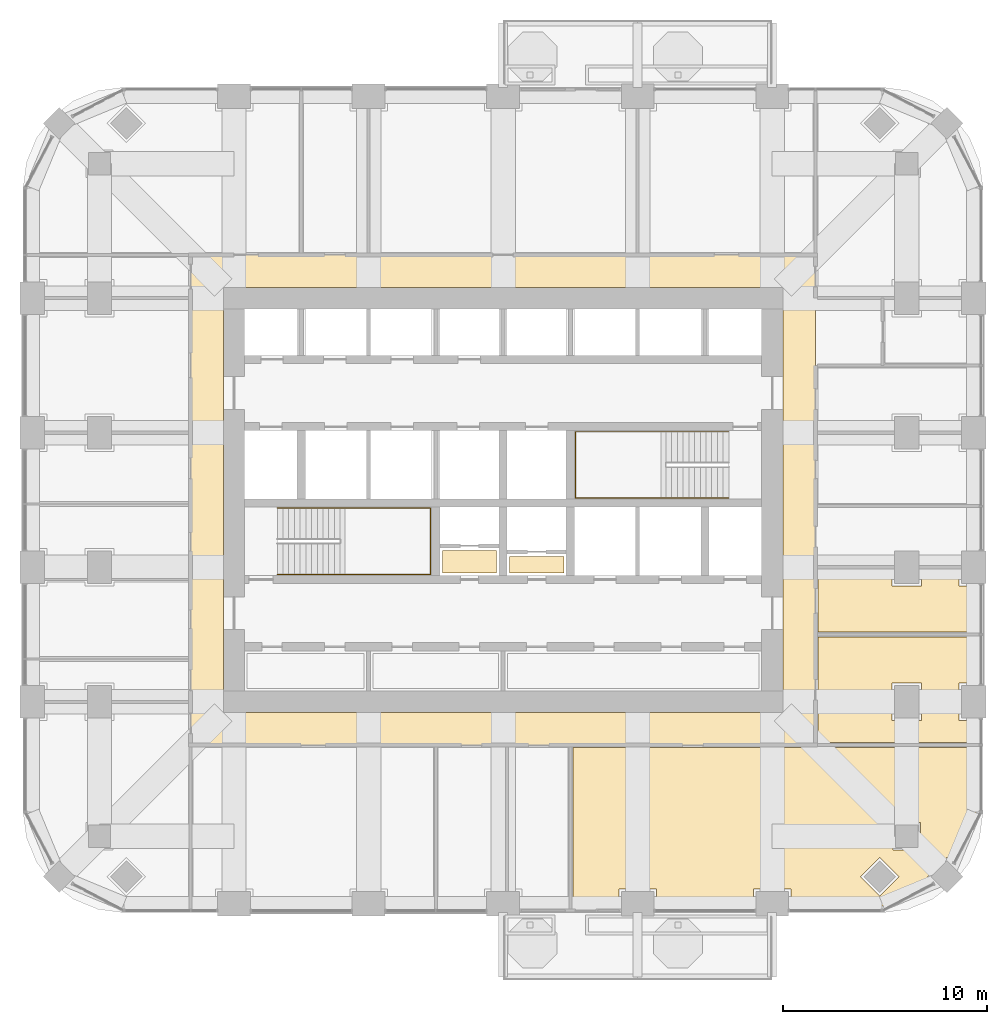
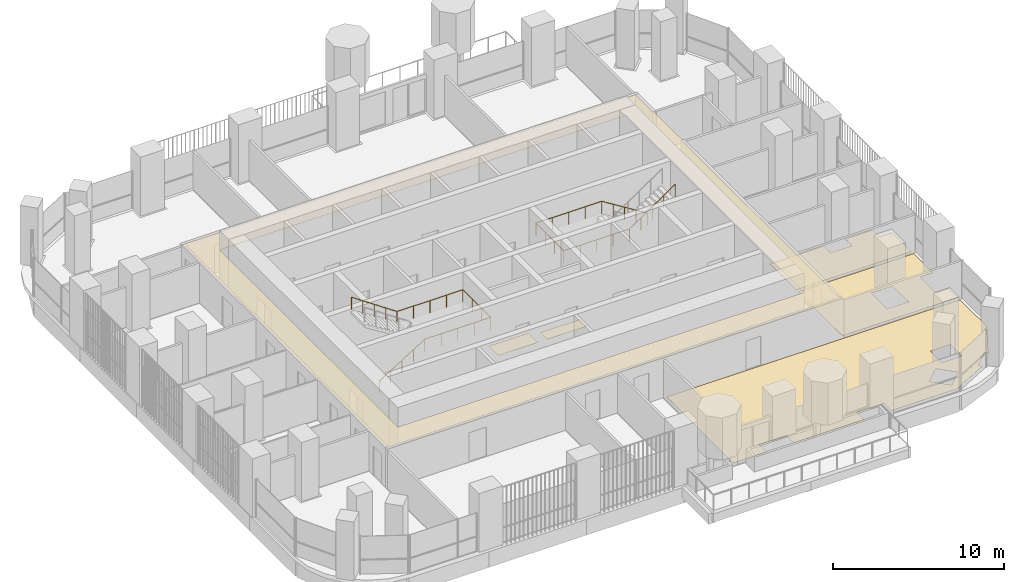
# One storey, part 17 of 19: 6 coverings, 2 railings.
"""IFC4 building model written with IfcOpenShell, lengths in metres."""

from ifc_helpers import new_model, si_unit, direction, frame, origin, place, context, subcontext, project, spatial, polyline, outline, extrude, material, layer, layer_set, type_object, element, save


model = new_model("IFC4")

# Units and contexts
model_context = context("Model", 3, precision=1e-05, world=origin(), true_north=direction((0.0, 1.0)))
body_context = subcontext(model_context, "Body", "Model", "MODEL_VIEW")
ifc_project = project(units=[si_unit("LENGTHUNIT", "METRE"), si_unit("AREAUNIT", "SQUARE_METRE"), si_unit("VOLUMEUNIT", "CUBIC_METRE"), si_unit("PLANEANGLEUNIT", "RADIAN"), si_unit("MASSUNIT", "GRAM", prefix="KILO")], contexts=[model_context])

# Site, building, storey
site_placement = place(None, origin())
site = spatial("IfcSite", under=ifc_project, at=site_placement, CompositionType="ELEMENT")
building_placement = place(site_placement, origin())
building = spatial("IfcBuilding", under=site, at=building_placement, Name="Cobogo Forest Laboratory Tower", CompositionType="ELEMENT")
storey_placement = place(building_placement, frame((0.0, 0.0, 197.699951171875)))
storey = spatial("IfcBuildingStorey", under=building, at=storey_placement, Name="L45", CompositionType="ELEMENT", Elevation=197.699951171875)

# Coverings
ifc_material_1 = material(Name="Mineral fibre ceiling tile", Category="ceiling")
ifc_layer_1 = layer(ifc_material_1, 0.02001953125)
ifc_layer_set_1 = layer_set([ifc_layer_1], Name="CL1 suspended ceiling")
covering_type_1 = type_object("IfcCoveringType", Name="CL1 suspended ceiling", PredefinedType="CEILING", material=ifc_layer_set_1)
covering_1_placement = place(storey_placement, frame((0.0, 0.0, 2.800048828125)))
element("IfcCovering", 1, at=covering_1_placement, inside=storey, type_object=covering_type_1, Name="Corridor ceiling L45", PredefinedType="CEILING", context=body_context, shape_type="SweptSolid", body=[
    extrude(outline(polyline([(11.074951171875, 11.074951171875), (11.074951171875, 35.125), (41.72509765625, 35.125), (41.72509765625, 11.074951171875), (11.074951171875, 11.074951171875)]), holes=[polyline([(40.125, 33.52490234375), (12.675048828125, 33.52490234375), (12.675048828125, 12.675048828125), (40.125, 12.675048828125), (40.125, 33.52490234375)])]), origin(), (0.0, 0.0, 1.0), 0.02001953125),
])
ifc_material_2 = material(Name="Carpet tile on raised access floor", Category="flooring")
ifc_layer_2 = layer(ifc_material_2, 0.008056640625)
ifc_layer_set_2 = layer_set([ifc_layer_2], Name="CT1 carpet tile floor 8")
covering_type_2 = type_object("IfcCoveringType", Name="CT1 carpet tile floor 8", PredefinedType="FLOORING", material=ifc_layer_set_2)
covering_2_placement = place(storey_placement, origin())
element("IfcCovering", 2, at=covering_2_placement, inside=storey, type_object=covering_type_2, Name="Carpet floor L45-04", PredefinedType="FLOORING", context=body_context, shape_type="SweptSolid", body=[
    extrude(outline(polyline([(49.64990234375, 10.955078125), (49.64990234375, 7.84912109375), (48.359619140625, 5.387939453125), (48.181884765625, 5.5654296875), (47.234375, 4.617919921875), (47.412109375, 4.440185546875), (44.95068359375, 3.14990234375), (40.52001953125, 3.14990234375), (40.52001953125, 4.02001953125), (38.679931640625, 4.02001953125), (38.679931640625, 3.14990234375), (33.919921875, 3.14990234375), (33.919921875, 4.02001953125), (32.080078125, 4.02001953125), (32.080078125, 3.14990234375), (29.820068359375, 3.14990234375), (29.820068359375, 10.955078125), (49.64990234375, 10.955078125)]), holes=[polyline([(45.530029296875, 5.929931640625), (46.8701171875, 5.929931640625), (46.8701171875, 7.27001953125), (45.530029296875, 7.27001953125), (45.530029296875, 5.929931640625)]), polyline([(44.882080078125, 3.67041015625), (45.82958984375, 4.617919921875), (44.882080078125, 5.5654296875), (43.9345703125, 4.617919921875), (44.882080078125, 3.67041015625)])]), origin(), (0.0, 0.0, 1.0), 0.008056640625),
])
covering_3_placement = place(storey_placement, origin())
element("IfcCovering", 3, at=covering_3_placement, inside=storey, type_object=covering_type_2, Name="Carpet floor L45-05", PredefinedType="FLOORING", context=body_context, shape_type="SweptSolid", body=[
    extrude(outline(polyline([(41.844970703125, 16.3798828125), (49.64990234375, 16.3798828125), (49.64990234375, 14.1201171875), (48.780029296875, 14.1201171875), (48.780029296875, 12.280029296875), (49.64990234375, 12.280029296875), (49.64990234375, 11.195068359375), (41.844970703125, 11.195068359375), (41.844970703125, 16.3798828125)]), holes=[polyline([(46.919921875, 12.280029296875), (46.919921875, 14.1201171875), (45.47998046875, 14.1201171875), (45.47998046875, 12.280029296875), (46.919921875, 12.280029296875)])]), origin(), (0.0, 0.0, 1.0), 0.008056640625),
])
covering_4_placement = place(storey_placement, origin())
element("IfcCovering", 4, at=covering_4_placement, inside=storey, type_object=covering_type_2, Name="Carpet floor L45-28", PredefinedType="FLOORING", context=body_context, shape_type="SweptSolid", body=[
    extrude(outline(polyline([(26.080078125, 19.52001953125), (23.419921875, 19.52001953125), (23.419921875, 20.6298828125), (26.080078125, 20.6298828125), (26.080078125, 19.52001953125)])), origin(), (0.0, 0.0, 1.0), 0.008056640625),
])
covering_5_placement = place(storey_placement, origin())
element("IfcCovering", 5, at=covering_5_placement, inside=storey, type_object=covering_type_2, Name="Carpet floor L45-30", PredefinedType="FLOORING", context=body_context, shape_type="SweptSolid", body=[
    extrude(outline(polyline([(29.3798828125, 19.52001953125), (26.719970703125, 19.52001953125), (26.719970703125, 20.330078125), (29.3798828125, 20.330078125), (29.3798828125, 19.52001953125)])), origin(), (0.0, 0.0, 1.0), 0.008056640625),
])

# Railings
ifc_material_3 = material(Name="Stainless steel handrail", Category="steel")
railing_type = type_object("IfcRailingType", Name="HR handrail 900", PredefinedType="HANDRAIL", material=ifc_material_3)
railing_1_placement = place(storey_placement, frame((15.324951171875, 19.449951171875, 0.175048828125)))
element("IfcRailing", 6, at=railing_1_placement, inside=storey, type_object=railing_type, Name="Stair handrail ST1 L45", PredefinedType="HANDRAIL", context=body_context, shape_type="SweptSolid", body=[
    extrude(outline(polyline([(0.022216796875, 0.00927734375), (0.00927734375, 0.022216796875), (-0.00927734375, 0.022216796875), (-0.022216796875, 0.00927734375), (-0.022216796875, -0.00927734375), (-0.00927734375, -0.022216796875), (0.00927734375, -0.022216796875), (0.022216796875, -0.00927734375), (0.022216796875, 0.00927734375)])), frame((0.0, 0.0, 0.877685546875), z_axis=(0.847998304005, 0.0, 0.529998940003), x_axis=(0.0, 1.0, 0.0)), (0.0, 0.0, 1.0), 3.632080078125),
    extrude(outline(polyline([(0.022216796875, 0.00927734375), (0.00927734375, 0.022216796875), (-0.00927734375, 0.022216796875), (-0.022216796875, 0.00927734375), (-0.022216796875, -0.00927734375), (-0.00927734375, -0.022216796875), (0.00927734375, -0.022216796875), (0.022216796875, -0.00927734375), (0.022216796875, 0.00927734375)])), frame((3.080078125, 0.0, 2.802734375), z_axis=(1.0, 0.0, 0.0), x_axis=(0.0, 1.0, 0.0)), (0.0, 0.0, 1.0), 4.445068359375),
    extrude(outline(polyline([(0.022216796875, 0.00927734375), (0.00927734375, 0.022216796875), (-0.00927734375, 0.022216796875), (-0.022216796875, 0.00927734375), (-0.022216796875, -0.00927734375), (-0.00927734375, -0.022216796875), (0.00927734375, -0.022216796875), (0.022216796875, -0.00927734375), (0.022216796875, 0.00927734375)])), frame((7.525146484375, 0.0, 2.802734375), z_axis=(0.0, 1.0, 0.0), x_axis=(-1.0, 0.0, 0.0)), (0.0, 0.0, 1.0), 3.25),
    extrude(outline(polyline([(0.022216796875, 0.00927734375), (0.00927734375, 0.022216796875), (-0.00927734375, 0.022216796875), (-0.022216796875, 0.00927734375), (-0.022216796875, -0.00927734375), (-0.00927734375, -0.022216796875), (0.00927734375, -0.022216796875), (0.022216796875, -0.00927734375), (0.022216796875, 0.00927734375)])), frame((7.525146484375, 3.25, 2.802734375), z_axis=(-1.0, 0.0, 0.0), x_axis=(0.0, -1.0, 0.0)), (0.0, 0.0, 1.0), 4.445068359375),
    extrude(outline(polyline([(0.022216796875, 0.00927734375), (0.00927734375, 0.022216796875), (-0.00927734375, 0.022216796875), (-0.022216796875, 0.00927734375), (-0.022216796875, -0.00927734375), (-0.00927734375, -0.022216796875), (0.00927734375, -0.022216796875), (0.022216796875, -0.00927734375), (0.022216796875, 0.00927734375)])), frame((3.080078125, 3.25, 2.802734375), z_axis=(-0.826252282691, 0.0, 0.563300244406), x_axis=(0.0, -1.0, 0.0)), (0.0, 0.0, 1.0), 3.727783203125),
    extrude(outline(polyline([(0.019287109375, 0.008056640625), (0.008056640625, 0.019287109375), (-0.008056640625, 0.019287109375), (-0.019287109375, 0.008056640625), (-0.019287109375, -0.008056640625), (-0.008056640625, -0.019287109375), (0.008056640625, -0.019287109375), (0.019287109375, -0.008056640625), (0.019287109375, 0.008056640625)])), origin(), (0.0, 0.0, 1.0), 0.877685546875),
    extrude(outline(polyline([(0.019287109375, 0.008056640625), (0.008056640625, 0.019287109375), (-0.008056640625, 0.019287109375), (-0.019287109375, 0.008056640625), (-0.019287109375, -0.008056640625), (-0.008056640625, -0.019287109375), (0.008056640625, -0.019287109375), (0.019287109375, -0.008056640625), (0.019287109375, 0.008056640625)])), frame((0.77001953125, 0.0, 0.481201171875)), (0.0, 0.0, 1.0), 0.877685546875),
    extrude(outline(polyline([(0.019287109375, 0.008056640625), (0.008056640625, 0.019287109375), (-0.008056640625, 0.019287109375), (-0.019287109375, 0.008056640625), (-0.019287109375, -0.008056640625), (-0.008056640625, -0.019287109375), (0.008056640625, -0.019287109375), (0.019287109375, -0.008056640625), (0.019287109375, 0.008056640625)])), frame((1.5400390625, 0.0, 0.96240234375)), (0.0, 0.0, 1.0), 0.877685546875),
    extrude(outline(polyline([(0.019287109375, 0.008056640625), (0.008056640625, 0.019287109375), (-0.008056640625, 0.019287109375), (-0.019287109375, 0.008056640625), (-0.019287109375, -0.008056640625), (-0.008056640625, -0.019287109375), (0.008056640625, -0.019287109375), (0.019287109375, -0.008056640625), (0.019287109375, 0.008056640625)])), frame((2.31005859375, 0.0, 1.44384765625)), (0.0, 0.0, 1.0), 0.877685546875),
    extrude(outline(polyline([(0.019287109375, 0.008056640625), (0.008056640625, 0.019287109375), (-0.008056640625, 0.019287109375), (-0.019287109375, 0.008056640625), (-0.019287109375, -0.008056640625), (-0.008056640625, -0.019287109375), (0.008056640625, -0.019287109375), (0.019287109375, -0.008056640625), (0.019287109375, 0.008056640625)])), frame((3.080078125, 0.0, 1.925048828125)), (0.0, 0.0, 1.0), 0.877685546875),
    extrude(outline(polyline([(0.019287109375, 0.008056640625), (0.008056640625, 0.019287109375), (-0.008056640625, 0.019287109375), (-0.019287109375, 0.008056640625), (-0.019287109375, -0.008056640625), (-0.008056640625, -0.019287109375), (0.008056640625, -0.019287109375), (0.019287109375, -0.008056640625), (0.019287109375, 0.008056640625)])), frame((4.19140625, 0.0, 1.925048828125)), (0.0, 0.0, 1.0), 0.877685546875),
    extrude(outline(polyline([(0.019287109375, 0.008056640625), (0.008056640625, 0.019287109375), (-0.008056640625, 0.019287109375), (-0.019287109375, 0.008056640625), (-0.019287109375, -0.008056640625), (-0.008056640625, -0.019287109375), (0.008056640625, -0.019287109375), (0.019287109375, -0.008056640625), (0.019287109375, 0.008056640625)])), frame((5.302734375, 0.0, 1.925048828125)), (0.0, 0.0, 1.0), 0.877685546875),
    extrude(outline(polyline([(0.019287109375, 0.008056640625), (0.008056640625, 0.019287109375), (-0.008056640625, 0.019287109375), (-0.019287109375, 0.008056640625), (-0.019287109375, -0.008056640625), (-0.008056640625, -0.019287109375), (0.008056640625, -0.019287109375), (0.019287109375, -0.008056640625), (0.019287109375, 0.008056640625)])), frame((6.413818359375, 0.0, 1.925048828125)), (0.0, 0.0, 1.0), 0.877685546875),
    extrude(outline(polyline([(0.019287109375, 0.008056640625), (0.008056640625, 0.019287109375), (-0.008056640625, 0.019287109375), (-0.019287109375, 0.008056640625), (-0.019287109375, -0.008056640625), (-0.008056640625, -0.019287109375), (0.008056640625, -0.019287109375), (0.019287109375, -0.008056640625), (0.019287109375, 0.008056640625)])), frame((7.525146484375, 0.0, 1.925048828125)), (0.0, 0.0, 1.0), 0.877685546875),
    extrude(outline(polyline([(0.019287109375, 0.008056640625), (0.008056640625, 0.019287109375), (-0.008056640625, 0.019287109375), (-0.019287109375, 0.008056640625), (-0.019287109375, -0.008056640625), (-0.008056640625, -0.019287109375), (0.008056640625, -0.019287109375), (0.019287109375, -0.008056640625), (0.019287109375, 0.008056640625)])), frame((7.525146484375, 1.083251953125, 1.925048828125)), (0.0, 0.0, 1.0), 0.877685546875),
    extrude(outline(polyline([(0.019287109375, 0.008056640625), (0.008056640625, 0.019287109375), (-0.008056640625, 0.019287109375), (-0.019287109375, 0.008056640625), (-0.019287109375, -0.008056640625), (-0.008056640625, -0.019287109375), (0.008056640625, -0.019287109375), (0.019287109375, -0.008056640625), (0.019287109375, 0.008056640625)])), frame((7.525146484375, 2.166748046875, 1.925048828125)), (0.0, 0.0, 1.0), 0.877685546875),
    extrude(outline(polyline([(0.019287109375, 0.008056640625), (0.008056640625, 0.019287109375), (-0.008056640625, 0.019287109375), (-0.019287109375, 0.008056640625), (-0.019287109375, -0.008056640625), (-0.008056640625, -0.019287109375), (0.008056640625, -0.019287109375), (0.019287109375, -0.008056640625), (0.019287109375, 0.008056640625)])), frame((7.525146484375, 3.25, 1.925048828125)), (0.0, 0.0, 1.0), 0.877685546875),
    extrude(outline(polyline([(0.019287109375, 0.008056640625), (0.008056640625, 0.019287109375), (-0.008056640625, 0.019287109375), (-0.019287109375, 0.008056640625), (-0.019287109375, -0.008056640625), (-0.008056640625, -0.019287109375), (0.008056640625, -0.019287109375), (0.019287109375, -0.008056640625), (0.019287109375, 0.008056640625)])), frame((6.413818359375, 3.25, 1.925048828125)), (0.0, 0.0, 1.0), 0.877685546875),
    extrude(outline(polyline([(0.019287109375, 0.008056640625), (0.008056640625, 0.019287109375), (-0.008056640625, 0.019287109375), (-0.019287109375, 0.008056640625), (-0.019287109375, -0.008056640625), (-0.008056640625, -0.019287109375), (0.008056640625, -0.019287109375), (0.019287109375, -0.008056640625), (0.019287109375, 0.008056640625)])), frame((5.302734375, 3.25, 1.925048828125)), (0.0, 0.0, 1.0), 0.877685546875),
    extrude(outline(polyline([(0.019287109375, 0.008056640625), (0.008056640625, 0.019287109375), (-0.008056640625, 0.019287109375), (-0.019287109375, 0.008056640625), (-0.019287109375, -0.008056640625), (-0.008056640625, -0.019287109375), (0.008056640625, -0.019287109375), (0.019287109375, -0.008056640625), (0.019287109375, 0.008056640625)])), frame((4.19140625, 3.25, 1.925048828125)), (0.0, 0.0, 1.0), 0.877685546875),
    extrude(outline(polyline([(0.019287109375, 0.008056640625), (0.008056640625, 0.019287109375), (-0.008056640625, 0.019287109375), (-0.019287109375, 0.008056640625), (-0.019287109375, -0.008056640625), (-0.008056640625, -0.019287109375), (0.008056640625, -0.019287109375), (0.019287109375, -0.008056640625), (0.019287109375, 0.008056640625)])), frame((3.080078125, 3.25, 1.925048828125)), (0.0, 0.0, 1.0), 0.877685546875),
    extrude(outline(polyline([(0.019287109375, 0.008056640625), (0.008056640625, 0.019287109375), (-0.008056640625, 0.019287109375), (-0.019287109375, 0.008056640625), (-0.019287109375, -0.008056640625), (-0.008056640625, -0.019287109375), (0.008056640625, -0.019287109375), (0.019287109375, -0.008056640625), (0.019287109375, 0.008056640625)])), frame((2.31005859375, 3.25, 2.449951171875)), (0.0, 0.0, 1.0), 0.877685546875),
    extrude(outline(polyline([(0.019287109375, 0.008056640625), (0.008056640625, 0.019287109375), (-0.008056640625, 0.019287109375), (-0.019287109375, 0.008056640625), (-0.019287109375, -0.008056640625), (-0.008056640625, -0.019287109375), (0.008056640625, -0.019287109375), (0.019287109375, -0.008056640625), (0.019287109375, 0.008056640625)])), frame((1.5400390625, 3.25, 2.97509765625)), (0.0, 0.0, 1.0), 0.877685546875),
    extrude(outline(polyline([(0.019287109375, 0.008056640625), (0.008056640625, 0.019287109375), (-0.008056640625, 0.019287109375), (-0.019287109375, 0.008056640625), (-0.019287109375, -0.008056640625), (-0.008056640625, -0.019287109375), (0.008056640625, -0.019287109375), (0.019287109375, -0.008056640625), (0.019287109375, 0.008056640625)])), frame((0.77001953125, 3.25, 3.5)), (0.0, 0.0, 1.0), 0.877685546875),
    extrude(outline(polyline([(0.019287109375, 0.008056640625), (0.008056640625, 0.019287109375), (-0.008056640625, 0.019287109375), (-0.019287109375, 0.008056640625), (-0.019287109375, -0.008056640625), (-0.008056640625, -0.019287109375), (0.008056640625, -0.019287109375), (0.019287109375, -0.008056640625), (0.019287109375, 0.008056640625)])), frame((0.0, 3.25, 4.02490234375)), (0.0, 0.0, 1.0), 0.877685546875),
])
railing_2_placement = place(storey_placement, frame((37.47509765625, 26.449951171875, 0.175048828125)))
element("IfcRailing", 7, at=railing_2_placement, inside=storey, type_object=railing_type, Name="Stair handrail ST2 L45", PredefinedType="HANDRAIL", context=body_context, shape_type="SweptSolid", body=[
    extrude(outline(polyline([(0.022216796875, 0.00927734375), (0.00927734375, 0.022216796875), (-0.00927734375, 0.022216796875), (-0.022216796875, 0.00927734375), (-0.022216796875, -0.00927734375), (-0.00927734375, -0.022216796875), (0.00927734375, -0.022216796875), (0.022216796875, -0.00927734375), (0.022216796875, 0.00927734375)])), frame((0.0, 0.0, 0.877685546875), z_axis=(-0.847998304005, 0.0, 0.529998940003), x_axis=(0.0, -1.0, 0.0)), (0.0, 0.0, 1.0), 3.632080078125),
    extrude(outline(polyline([(0.022216796875, 0.00927734375), (0.00927734375, 0.022216796875), (-0.00927734375, 0.022216796875), (-0.022216796875, 0.00927734375), (-0.022216796875, -0.00927734375), (-0.00927734375, -0.022216796875), (0.00927734375, -0.022216796875), (0.022216796875, -0.00927734375), (0.022216796875, 0.00927734375)])), frame((-3.080078125, 0.0, 2.802734375), z_axis=(-1.0, 0.0, 0.0), x_axis=(0.0, -1.0, 0.0)), (0.0, 0.0, 1.0), 4.445068359375),
    extrude(outline(polyline([(0.022216796875, 0.00927734375), (0.00927734375, 0.022216796875), (-0.00927734375, 0.022216796875), (-0.022216796875, 0.00927734375), (-0.022216796875, -0.00927734375), (-0.00927734375, -0.022216796875), (0.00927734375, -0.022216796875), (0.022216796875, -0.00927734375), (0.022216796875, 0.00927734375)])), frame((-7.525146484375, 0.0, 2.802734375), z_axis=(0.0, -1.0, 0.0), x_axis=(1.0, 0.0, 0.0)), (0.0, 0.0, 1.0), 3.25),
    extrude(outline(polyline([(0.022216796875, 0.00927734375), (0.00927734375, 0.022216796875), (-0.00927734375, 0.022216796875), (-0.022216796875, 0.00927734375), (-0.022216796875, -0.00927734375), (-0.00927734375, -0.022216796875), (0.00927734375, -0.022216796875), (0.022216796875, -0.00927734375), (0.022216796875, 0.00927734375)])), frame((-7.525146484375, -3.25, 2.802734375), z_axis=(1.0, 0.0, 0.0), x_axis=(0.0, 1.0, 0.0)), (0.0, 0.0, 1.0), 4.445068359375),
    extrude(outline(polyline([(0.022216796875, 0.00927734375), (0.00927734375, 0.022216796875), (-0.00927734375, 0.022216796875), (-0.022216796875, 0.00927734375), (-0.022216796875, -0.00927734375), (-0.00927734375, -0.022216796875), (0.00927734375, -0.022216796875), (0.022216796875, -0.00927734375), (0.022216796875, 0.00927734375)])), frame((-3.080078125, -3.25, 2.802734375), z_axis=(0.826252282691, 0.0, 0.563300244406), x_axis=(0.0, 1.0, 0.0)), (0.0, 0.0, 1.0), 3.727783203125),
    extrude(outline(polyline([(0.019287109375, 0.008056640625), (0.008056640625, 0.019287109375), (-0.008056640625, 0.019287109375), (-0.019287109375, 0.008056640625), (-0.019287109375, -0.008056640625), (-0.008056640625, -0.019287109375), (0.008056640625, -0.019287109375), (0.019287109375, -0.008056640625), (0.019287109375, 0.008056640625)])), origin(), (0.0, 0.0, 1.0), 0.877685546875),
    extrude(outline(polyline([(0.019287109375, 0.008056640625), (0.008056640625, 0.019287109375), (-0.008056640625, 0.019287109375), (-0.019287109375, 0.008056640625), (-0.019287109375, -0.008056640625), (-0.008056640625, -0.019287109375), (0.008056640625, -0.019287109375), (0.019287109375, -0.008056640625), (0.019287109375, 0.008056640625)])), frame((-0.77001953125, 0.0, 0.481201171875)), (0.0, 0.0, 1.0), 0.877685546875),
    extrude(outline(polyline([(0.019287109375, 0.008056640625), (0.008056640625, 0.019287109375), (-0.008056640625, 0.019287109375), (-0.019287109375, 0.008056640625), (-0.019287109375, -0.008056640625), (-0.008056640625, -0.019287109375), (0.008056640625, -0.019287109375), (0.019287109375, -0.008056640625), (0.019287109375, 0.008056640625)])), frame((-1.5400390625, 0.0, 0.96240234375)), (0.0, 0.0, 1.0), 0.877685546875),
    extrude(outline(polyline([(0.019287109375, 0.008056640625), (0.008056640625, 0.019287109375), (-0.008056640625, 0.019287109375), (-0.019287109375, 0.008056640625), (-0.019287109375, -0.008056640625), (-0.008056640625, -0.019287109375), (0.008056640625, -0.019287109375), (0.019287109375, -0.008056640625), (0.019287109375, 0.008056640625)])), frame((-2.31005859375, 0.0, 1.44384765625)), (0.0, 0.0, 1.0), 0.877685546875),
    extrude(outline(polyline([(0.019287109375, 0.008056640625), (0.008056640625, 0.019287109375), (-0.008056640625, 0.019287109375), (-0.019287109375, 0.008056640625), (-0.019287109375, -0.008056640625), (-0.008056640625, -0.019287109375), (0.008056640625, -0.019287109375), (0.019287109375, -0.008056640625), (0.019287109375, 0.008056640625)])), frame((-3.080078125, 0.0, 1.925048828125)), (0.0, 0.0, 1.0), 0.877685546875),
    extrude(outline(polyline([(0.019287109375, 0.008056640625), (0.008056640625, 0.019287109375), (-0.008056640625, 0.019287109375), (-0.019287109375, 0.008056640625), (-0.019287109375, -0.008056640625), (-0.008056640625, -0.019287109375), (0.008056640625, -0.019287109375), (0.019287109375, -0.008056640625), (0.019287109375, 0.008056640625)])), frame((-4.19140625, 0.0, 1.925048828125)), (0.0, 0.0, 1.0), 0.877685546875),
    extrude(outline(polyline([(0.019287109375, 0.008056640625), (0.008056640625, 0.019287109375), (-0.008056640625, 0.019287109375), (-0.019287109375, 0.008056640625), (-0.019287109375, -0.008056640625), (-0.008056640625, -0.019287109375), (0.008056640625, -0.019287109375), (0.019287109375, -0.008056640625), (0.019287109375, 0.008056640625)])), frame((-5.302734375, 0.0, 1.925048828125)), (0.0, 0.0, 1.0), 0.877685546875),
    extrude(outline(polyline([(0.019287109375, 0.008056640625), (0.008056640625, 0.019287109375), (-0.008056640625, 0.019287109375), (-0.019287109375, 0.008056640625), (-0.019287109375, -0.008056640625), (-0.008056640625, -0.019287109375), (0.008056640625, -0.019287109375), (0.019287109375, -0.008056640625), (0.019287109375, 0.008056640625)])), frame((-6.413818359375, 0.0, 1.925048828125)), (0.0, 0.0, 1.0), 0.877685546875),
    extrude(outline(polyline([(0.019287109375, 0.008056640625), (0.008056640625, 0.019287109375), (-0.008056640625, 0.019287109375), (-0.019287109375, 0.008056640625), (-0.019287109375, -0.008056640625), (-0.008056640625, -0.019287109375), (0.008056640625, -0.019287109375), (0.019287109375, -0.008056640625), (0.019287109375, 0.008056640625)])), frame((-7.525146484375, 0.0, 1.925048828125)), (0.0, 0.0, 1.0), 0.877685546875),
    extrude(outline(polyline([(0.019287109375, 0.008056640625), (0.008056640625, 0.019287109375), (-0.008056640625, 0.019287109375), (-0.019287109375, 0.008056640625), (-0.019287109375, -0.008056640625), (-0.008056640625, -0.019287109375), (0.008056640625, -0.019287109375), (0.019287109375, -0.008056640625), (0.019287109375, 0.008056640625)])), frame((-7.525146484375, -1.083251953125, 1.925048828125)), (0.0, 0.0, 1.0), 0.877685546875),
    extrude(outline(polyline([(0.019287109375, 0.008056640625), (0.008056640625, 0.019287109375), (-0.008056640625, 0.019287109375), (-0.019287109375, 0.008056640625), (-0.019287109375, -0.008056640625), (-0.008056640625, -0.019287109375), (0.008056640625, -0.019287109375), (0.019287109375, -0.008056640625), (0.019287109375, 0.008056640625)])), frame((-7.525146484375, -2.166748046875, 1.925048828125)), (0.0, 0.0, 1.0), 0.877685546875),
    extrude(outline(polyline([(0.019287109375, 0.008056640625), (0.008056640625, 0.019287109375), (-0.008056640625, 0.019287109375), (-0.019287109375, 0.008056640625), (-0.019287109375, -0.008056640625), (-0.008056640625, -0.019287109375), (0.008056640625, -0.019287109375), (0.019287109375, -0.008056640625), (0.019287109375, 0.008056640625)])), frame((-7.525146484375, -3.25, 1.925048828125)), (0.0, 0.0, 1.0), 0.877685546875),
    extrude(outline(polyline([(0.019287109375, 0.008056640625), (0.008056640625, 0.019287109375), (-0.008056640625, 0.019287109375), (-0.019287109375, 0.008056640625), (-0.019287109375, -0.008056640625), (-0.008056640625, -0.019287109375), (0.008056640625, -0.019287109375), (0.019287109375, -0.008056640625), (0.019287109375, 0.008056640625)])), frame((-6.413818359375, -3.25, 1.925048828125)), (0.0, 0.0, 1.0), 0.877685546875),
    extrude(outline(polyline([(0.019287109375, 0.008056640625), (0.008056640625, 0.019287109375), (-0.008056640625, 0.019287109375), (-0.019287109375, 0.008056640625), (-0.019287109375, -0.008056640625), (-0.008056640625, -0.019287109375), (0.008056640625, -0.019287109375), (0.019287109375, -0.008056640625), (0.019287109375, 0.008056640625)])), frame((-5.302734375, -3.25, 1.925048828125)), (0.0, 0.0, 1.0), 0.877685546875),
    extrude(outline(polyline([(0.019287109375, 0.008056640625), (0.008056640625, 0.019287109375), (-0.008056640625, 0.019287109375), (-0.019287109375, 0.008056640625), (-0.019287109375, -0.008056640625), (-0.008056640625, -0.019287109375), (0.008056640625, -0.019287109375), (0.019287109375, -0.008056640625), (0.019287109375, 0.008056640625)])), frame((-4.19140625, -3.25, 1.925048828125)), (0.0, 0.0, 1.0), 0.877685546875),
    extrude(outline(polyline([(0.019287109375, 0.008056640625), (0.008056640625, 0.019287109375), (-0.008056640625, 0.019287109375), (-0.019287109375, 0.008056640625), (-0.019287109375, -0.008056640625), (-0.008056640625, -0.019287109375), (0.008056640625, -0.019287109375), (0.019287109375, -0.008056640625), (0.019287109375, 0.008056640625)])), frame((-3.080078125, -3.25, 1.925048828125)), (0.0, 0.0, 1.0), 0.877685546875),
    extrude(outline(polyline([(0.019287109375, 0.008056640625), (0.008056640625, 0.019287109375), (-0.008056640625, 0.019287109375), (-0.019287109375, 0.008056640625), (-0.019287109375, -0.008056640625), (-0.008056640625, -0.019287109375), (0.008056640625, -0.019287109375), (0.019287109375, -0.008056640625), (0.019287109375, 0.008056640625)])), frame((-2.31005859375, -3.25, 2.449951171875)), (0.0, 0.0, 1.0), 0.877685546875),
    extrude(outline(polyline([(0.019287109375, 0.008056640625), (0.008056640625, 0.019287109375), (-0.008056640625, 0.019287109375), (-0.019287109375, 0.008056640625), (-0.019287109375, -0.008056640625), (-0.008056640625, -0.019287109375), (0.008056640625, -0.019287109375), (0.019287109375, -0.008056640625), (0.019287109375, 0.008056640625)])), frame((-1.5400390625, -3.25, 2.97509765625)), (0.0, 0.0, 1.0), 0.877685546875),
    extrude(outline(polyline([(0.019287109375, 0.008056640625), (0.008056640625, 0.019287109375), (-0.008056640625, 0.019287109375), (-0.019287109375, 0.008056640625), (-0.019287109375, -0.008056640625), (-0.008056640625, -0.019287109375), (0.008056640625, -0.019287109375), (0.019287109375, -0.008056640625), (0.019287109375, 0.008056640625)])), frame((-0.77001953125, -3.25, 3.5)), (0.0, 0.0, 1.0), 0.877685546875),
    extrude(outline(polyline([(0.019287109375, 0.008056640625), (0.008056640625, 0.019287109375), (-0.008056640625, 0.019287109375), (-0.019287109375, 0.008056640625), (-0.019287109375, -0.008056640625), (-0.008056640625, -0.019287109375), (0.008056640625, -0.019287109375), (0.019287109375, -0.008056640625), (0.019287109375, 0.008056640625)])), frame((0.0, -3.25, 4.02490234375)), (0.0, 0.0, 1.0), 0.877685546875),
])

# Covering
ifc_material_4 = material(Name="Static-dissipative vinyl flooring", Category="flooring")
ifc_layer_3 = layer(ifc_material_4, 0.0029296875)
ifc_layer_set_3 = layer_set([ifc_layer_3], Name="SD1 static-dissipative vinyl floor 3")
covering_type_3 = type_object("IfcCoveringType", Name="SD1 static-dissipative vinyl floor 3", PredefinedType="FLOORING", material=ifc_layer_set_3)
covering_6_placement = place(storey_placement, origin())
element("IfcCovering", 8, at=covering_6_placement, inside=storey, type_object=covering_type_3, Name="Static-dissipative floor L45-06", PredefinedType="FLOORING", context=body_context, shape_type="SweptSolid", body=[
    extrude(outline(polyline([(41.844970703125, 19.679931640625), (45.47998046875, 19.679931640625), (45.47998046875, 18.8798828125), (46.919921875, 18.8798828125), (46.919921875, 19.679931640625), (48.780029296875, 19.679931640625), (48.780029296875, 18.8798828125), (49.64990234375, 18.8798828125), (49.64990234375, 16.6201171875), (41.844970703125, 16.6201171875), (41.844970703125, 19.679931640625)])), origin(), (0.0, 0.0, 1.0), 0.0029296875),
])

save(model, "model.ifc")
